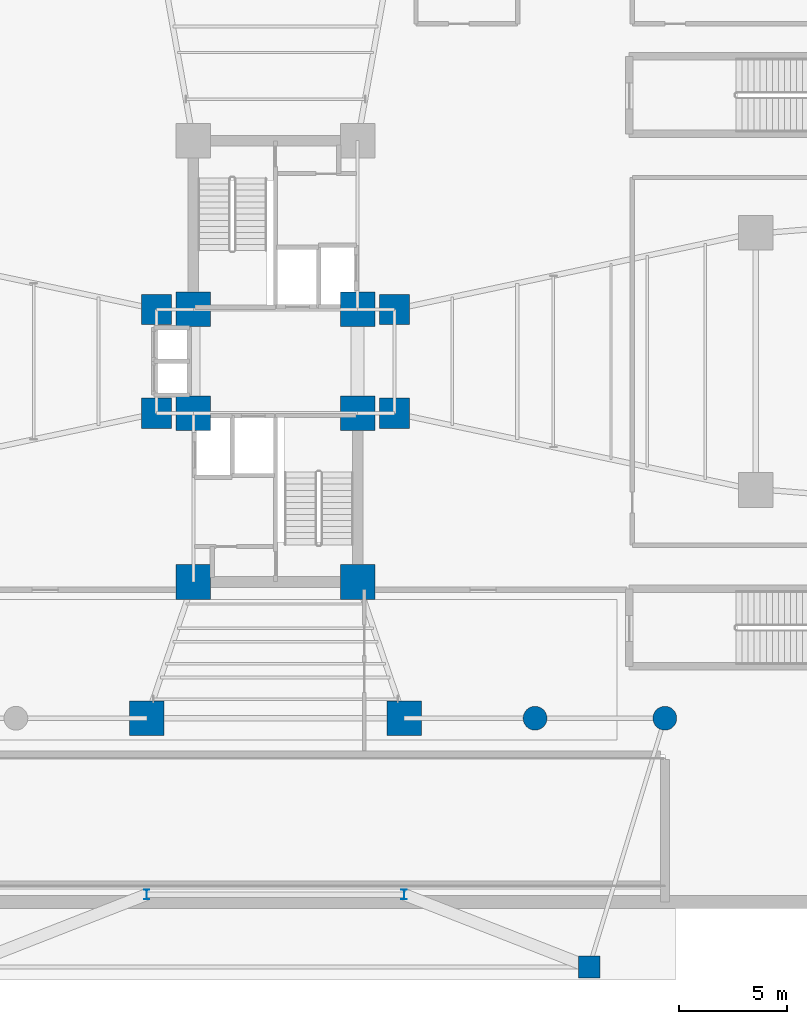
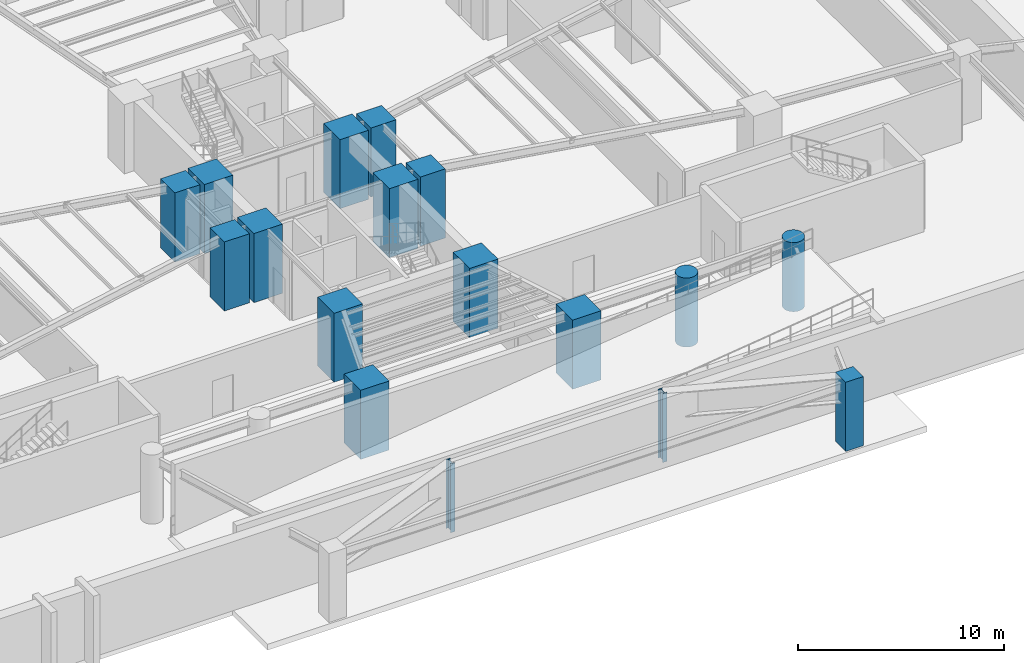
# One storey, part 2 of 14: 17 columns.
"""IFC4 building model written with IfcOpenShell, lengths in metres."""

from ifc_helpers import new_model, si_unit, direction, frame, origin, origin_2d, place, context, subcontext, project, spatial, rectangle, circle, i_section, extrude, source, transform, mapped, material, material_profile, profile_set, type_object, element, save


model = new_model("IFC4")

# Units and contexts
model_context = context("Model", 3, precision=1e-05, world=origin(), true_north=direction((0.0, 1.0)))
body_context = subcontext(model_context, "Body", "Model", "MODEL_VIEW")
ifc_project = project(units=[si_unit("LENGTHUNIT", "METRE"), si_unit("AREAUNIT", "SQUARE_METRE"), si_unit("VOLUMEUNIT", "CUBIC_METRE"), si_unit("PLANEANGLEUNIT", "RADIAN"), si_unit("MASSUNIT", "GRAM", prefix="KILO")], contexts=[model_context])

# Site, building, storey
site_placement = place(None, origin())
site = spatial("IfcSite", under=ifc_project, at=site_placement, CompositionType="ELEMENT")
building_placement = place(site_placement, origin())
building = spatial("IfcBuilding", under=site, at=building_placement, Name="Sahyath Konkavel Grand Hotel", CompositionType="ELEMENT")
storey_placement = place(building_placement, frame((0.0, 0.0, -4.5)))
storey = spatial("IfcBuildingStorey", under=building, at=storey_placement, Name="B1", CompositionType="ELEMENT", Elevation=-4.5)

# Columns
ifc_material_1 = material(Name="Concrete C70/85", Category="concrete")
ifc_material_profile_1 = material_profile(ifc_material_1, rectangle(XDim=1.60009765625, YDim=1.60009765625, at=origin_2d()), Name="RC 1600x1600")
ifc_profile_set_1 = profile_set([ifc_material_profile_1], Name="Concrete C70/85")
column_type_1 = type_object("IfcColumnType", Name="COL-RC1600", PredefinedType="COLUMN", material=ifc_profile_set_1)
shared_shape_1 = source(origin(), body_context, "Body", "SweptSolid", [
    extrude(rectangle(XDim=1.60009765625, YDim=1.60009765625, at=origin_2d()), origin(), (0.0, 0.0, 1.0), 4.10009765625),
])
for number, where, z_axis, x_axis, name in (
    (1, (-3.800048828125, 2.39990234375, 0.0), (0.0, 0.0, 1.0), (1.0, 0.0, 0.0), "B1 Core Boundary Column NC-SW"),
    (2, (3.800048828125, 2.39990234375, 0.0), (0.0, 0.0, 1.0), (1.0, 0.0, 0.0), "B1 Core Boundary Column NC-SE"),
    (3, (-3.800048828125, -2.39990234375, 0.0), (0.0, 0.0, 1.0), (1.0, 0.0, 0.0), "B1 Core Boundary Column SC-NW"),
    (4, (3.800048828125, -2.39990234375, 0.0), (0.0, 0.0, 1.0), (1.0, 0.0, 0.0), "B1 Core Boundary Column SC-NE"),
    (5, (-3.800048828125, -10.199951171875, 0.0), (0.0, 0.0, 1.0), (1.0, 0.0, 0.0), "B1 Core Boundary Column SC-SW"),
    (6, (3.800048828125, -10.199951171875, 0.0), (0.0, 0.0, 1.0), (1.0, 0.0, 0.0), "B1 Core Boundary Column SC-SE"),
    (7, (-5.949951171875, -16.5, 0.0), (0.0, 0.0, 1.0), (1.0, 0.0, 0.0), "B1 Ballroom Mega-Column MC-SA"),
    (8, (5.949951171875, -16.5, 0.0), (0.0, 0.0, 1.0), (1.0, 0.0, 0.0), "B1 Ballroom Mega-Column MC-SB"),
):
    element("IfcColumn", number, at=place(storey_placement, frame(where, z_axis=z_axis, x_axis=x_axis)), inside=storey, type_object=column_type_1, Name=name, PredefinedType="COLUMN", context=body_context, shape_type="MappedRepresentation", body=[
        mapped(shared_shape_1, transform((0.0, 0.0, 0.0), scale=1.0)),
    ])
ifc_material_profile_2 = material_profile(ifc_material_1, rectangle(XDim=1.39990234375, YDim=1.39990234375, at=origin_2d()), Name="RC 1400x1400")
ifc_profile_set_2 = profile_set([ifc_material_profile_2], Name="Concrete C70/85")
column_type_2 = type_object("IfcColumnType", Name="COL-RC1400", PredefinedType="COLUMN", material=ifc_profile_set_2)
shared_shape_2 = source(origin(), body_context, "Body", "SweptSolid", [
    extrude(rectangle(XDim=1.39990234375, YDim=1.39990234375, at=origin_2d()), origin(), (0.0, 0.0, 1.0), 4.10009765625),
])
for number, where, z_axis, x_axis, name in (
    (9, (5.5, 2.39990234375, 0.0), (0.0, 0.0, 1.0), (1.0, 0.0, 0.0), "B1 Central Spine Column HB-NE"),
    (10, (-5.5, 2.39990234375, 0.0), (0.0, 0.0, 1.0), (1.0, 0.0, 0.0), "B1 Central Spine Column HB-NW"),
    (11, (5.5, -2.39990234375, 0.0), (0.0, 0.0, 1.0), (1.0, 0.0, 0.0), "B1 Central Spine Column HB-SE"),
    (12, (-5.5, -2.39990234375, 0.0), (0.0, 0.0, 1.0), (1.0, 0.0, 0.0), "B1 Central Spine Column HB-SW"),
):
    element("IfcColumn", number, at=place(storey_placement, frame(where, z_axis=z_axis, x_axis=x_axis)), inside=storey, type_object=column_type_2, Name=name, PredefinedType="COLUMN", context=body_context, shape_type="MappedRepresentation", body=[
        mapped(shared_shape_2, transform((0.0, 0.0, 0.0), scale=1.0)),
    ])
ifc_material_2 = material(Name="Steel E450", Category="steel")
ifc_material_profile_3 = material_profile(ifc_material_2, i_section(OverallWidth=0.25, OverallDepth=0.449951171875, WebThickness=0.013671875, FlangeThickness=0.013671875, FilletRadius=0.014892578125, at=origin_2d()), Name="ISHB 450")
ifc_profile_set_3 = profile_set([ifc_material_profile_3], Name="Steel E450")
column_type_3 = type_object("IfcColumnType", Name="COL-ISHB450", PredefinedType="COLUMN", material=ifc_profile_set_3)
shared_shape_3 = source(origin(), body_context, "Body", "SweptSolid", [
    extrude(i_section(OverallWidth=0.25, OverallDepth=0.449951171875, WebThickness=0.013671875, FlangeThickness=0.013671875, FilletRadius=0.014892578125, at=origin_2d()), origin(), (0.0, 0.0, 1.0), 4.10009765625),
])
for number, where, z_axis, x_axis, name in (
    (13, (-5.949951171875, -24.64990234375, 0.0), (0.0, 0.0, 1.0), (1.0, 0.0, 0.0), "B1 Ballroom Mega-Column MC-SA2"),
    (14, (5.949951171875, -24.64990234375, 0.0), (0.0, 0.0, 1.0), (1.0, 0.0, 0.0), "B1 Ballroom Mega-Column MC-SB2"),
):
    element("IfcColumn", number, at=place(storey_placement, frame(where, z_axis=z_axis, x_axis=x_axis)), inside=storey, type_object=column_type_3, Name=name, PredefinedType="COLUMN", context=body_context, shape_type="MappedRepresentation", body=[
        mapped(shared_shape_3, transform((0.0, 0.0, 0.0), scale=1.0)),
    ])
ifc_material_profile_4 = material_profile(ifc_material_1, circle(Radius=0.550048828125, at=origin_2d()), Name="RC D1100")
ifc_profile_set_4 = profile_set([ifc_material_profile_4], Name="Concrete C70/85")
column_type_4 = type_object("IfcColumnType", Name="COL-RCD1100", PredefinedType="COLUMN", material=ifc_profile_set_4)
shared_shape_4 = source(origin(), body_context, "Body", "SweptSolid", [
    extrude(circle(Radius=0.550048828125, at=origin_2d()), origin(), (0.0, 0.0, 1.0), 4.10009765625),
])
for number, where, z_axis, x_axis, name in (
    (15, (12.0, -16.5, 0.0), (0.0, 0.0, 1.0), (1.0, 0.0, 0.0), "B1 Sandstone Colonnade Pier CL-S3"),
    (16, (18.0, -16.5, 0.0), (0.0, 0.0, 1.0), (1.0, 0.0, 0.0), "B1 Sandstone Colonnade Pier CL-S4"),
):
    element("IfcColumn", number, at=place(storey_placement, frame(where, z_axis=z_axis, x_axis=x_axis)), inside=storey, type_object=column_type_4, Name=name, PredefinedType="COLUMN", context=body_context, shape_type="MappedRepresentation", body=[
        mapped(shared_shape_4, transform((0.0, 0.0, 0.0), scale=1.0)),
    ])
ifc_material_3 = material(Name="Concrete C50/60", Category="concrete")
ifc_material_profile_5 = material_profile(ifc_material_3, rectangle(XDim=1.0, YDim=1.0, at=origin_2d()), Name="RC 1000x1000")
ifc_profile_set_5 = profile_set([ifc_material_profile_5], Name="Concrete C50/60")
column_type_5 = type_object("IfcColumnType", Name="COL-RC1000", PredefinedType="COLUMN", material=ifc_profile_set_5)
shared_shape_5 = source(origin(), body_context, "Body", "SweptSolid", [
    extrude(rectangle(XDim=1.0, YDim=1.0, at=origin_2d()), origin(), (0.0, 0.0, 1.0), 4.10009765625),
])
column_placement = place(storey_placement, frame((14.5, -28.0, 0.0), z_axis=(0.0, 0.0, 1.0), x_axis=(1.0, 0.0, 0.0)))
element("IfcColumn", 17, at=column_placement, inside=storey, type_object=column_type_5, Name="B1 Metro Portal Wing Column PW-S2", PredefinedType="COLUMN", context=body_context, shape_type="MappedRepresentation", body=[
    mapped(shared_shape_5, transform((0.0, 0.0, 0.0), scale=1.0)),
])

save(model, "model.ifc")
